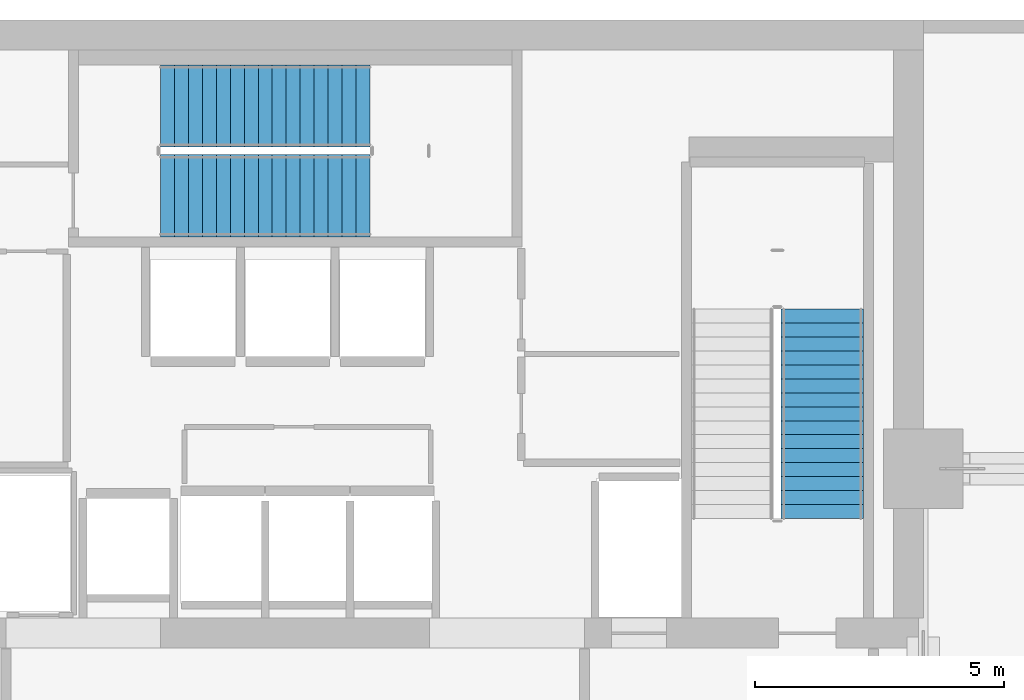
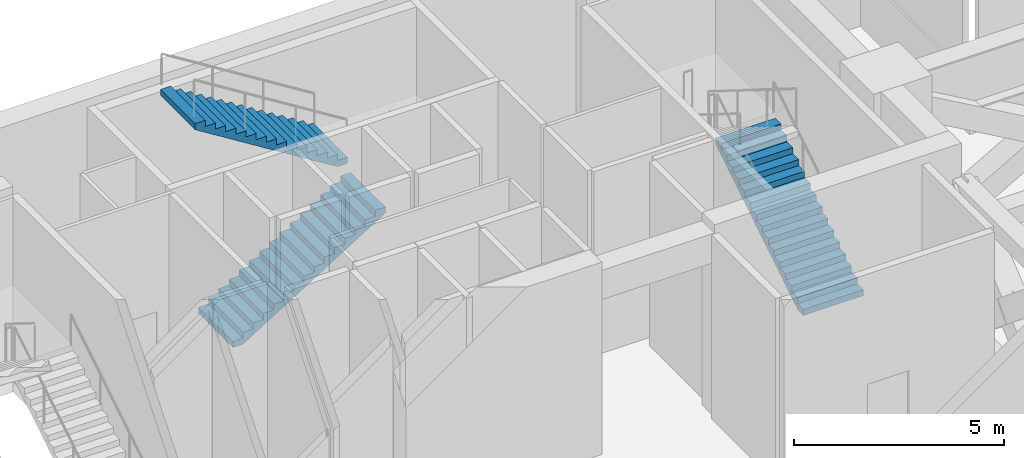
# One storey, part 8 of 11: 3 stair flights, 2 elements without a shape of their own.
"""IFC4 building model written with IfcOpenShell, lengths in metres."""

from ifc_helpers import new_model, si_unit, direction, frame, origin, place, context, subcontext, project, spatial, polyline, outline, extrude, material, type_object, element, aggregate, save


model = new_model("IFC4")

# Units and contexts
model_context = context("Model", 3, precision=1e-05, world=origin(), true_north=direction((0.0, 1.0)))
body_context = subcontext(model_context, "Body", "Model", "MODEL_VIEW")
ifc_project = project(units=[si_unit("LENGTHUNIT", "METRE"), si_unit("AREAUNIT", "SQUARE_METRE"), si_unit("VOLUMEUNIT", "CUBIC_METRE"), si_unit("PLANEANGLEUNIT", "RADIAN"), si_unit("MASSUNIT", "GRAM", prefix="KILO")], contexts=[model_context])

# Site, building, storey
site_placement = place(None, origin())
site = spatial("IfcSite", under=ifc_project, at=site_placement, CompositionType="ELEMENT")
building_placement = place(site_placement, origin())
building = spatial("IfcBuilding", under=site, at=building_placement, Name="Maruvema Waterfront Hotel and Observation Tower", CompositionType="ELEMENT")
storey_placement = place(building_placement, frame((0.0, 0.0, 316.39990234375)))
storey = spatial("IfcBuildingStorey", under=building, at=storey_placement, Name="L78", CompositionType="ELEMENT", Elevation=316.39990234375)

# Stair, stair flights
ifc_material_1 = material(Name="Concrete C50/60", Category="concrete")
stair_type = type_object("IfcStairType", Name="Dogleg Exit Stair 1650 mm (32R x 175.0 mm)", PredefinedType="HALF_TURN_STAIR", material=ifc_material_1)
stair_1_placement = place(storey_placement, origin())
stair_1 = element("IfcStair", 1, at=stair_1_placement, inside=storey, type_object=stair_type, Name="L78 ST-02", PredefinedType="HALF_TURN_STAIR")
ifc_material_2 = material(Name="Concrete C50/60", Category="concrete")
stair_flight_type = type_object("IfcStairFlightType", Name="Reinforced Concrete Stair Flight 1650 mm (16R x 175.0 mm)", PredefinedType="STRAIGHT", material=ifc_material_2)
stair_flight_1_placement = place(storey_placement, frame((35.10009765625, 50.47509765625, 0.0), z_axis=(0.0, 0.0, 1.0), x_axis=(1.0, 0.0, 0.0)))
stair_flight_1 = element("IfcStairFlight", 2, at=stair_flight_1_placement, type_object=stair_flight_type, Name="ST-02 flight 1", NumberOfRisers=16, NumberOfTreads=15, PredefinedType="STRAIGHT", RiserHeight=0.175, TreadLength=0.28, context=body_context, shape_type="SweptSolid", body=[
    extrude(outline(polyline([(0.0, 0.0), (0.0, 0.175048828125), (0.280029296875, 0.175048828125), (0.280029296875, 0.35009765625), (0.56005859375, 0.35009765625), (0.56005859375, 0.52490234375), (0.840087890625, 0.52490234375), (0.840087890625, 0.699951171875), (1.1201171875, 0.699951171875), (1.1201171875, 0.875), (1.39990234375, 0.875), (1.39990234375, 1.050048828125), (1.679931640625, 1.050048828125), (1.679931640625, 1.22509765625), (1.9599609375, 1.22509765625), (1.9599609375, 1.39990234375), (2.239990234375, 1.39990234375), (2.239990234375, 1.574951171875), (2.52001953125, 1.574951171875), (2.52001953125, 1.75), (2.800048828125, 1.75), (2.800048828125, 1.925048828125), (3.080078125, 1.925048828125), (3.080078125, 2.10009765625), (3.360107421875, 2.10009765625), (3.360107421875, 2.27490234375), (3.639892578125, 2.27490234375), (3.639892578125, 2.449951171875), (3.919921875, 2.449951171875), (3.919921875, 2.625), (4.199951171875, 2.625), (4.199951171875, 2.800048828125), (4.199951171875, 2.4482421875), (0.28271484375, 0.0), (0.0, 0.0)])), frame((0.0, 0.824951171875, 0.0), z_axis=(0.0, -1.0, 0.0), x_axis=(1.0, 0.0, 0.0)), (0.0, 0.0, 1.0), 1.64990234375),
])
stair_flight_2_placement = place(storey_placement, frame((39.300048828125, 52.27490234375, 2.800048828125), z_axis=(0.0, 0.0, 1.0), x_axis=(-1.0, 0.0, 0.0)))
stair_flight_2 = element("IfcStairFlight", 3, at=stair_flight_2_placement, type_object=stair_flight_type, Name="ST-02 flight 2", NumberOfRisers=16, NumberOfTreads=15, PredefinedType="STRAIGHT", RiserHeight=0.175, TreadLength=0.28, context=body_context, shape_type="SweptSolid", body=[
    extrude(outline(polyline([(0.0, 0.0), (0.0, 0.175048828125), (0.280029296875, 0.175048828125), (0.280029296875, 0.35009765625), (0.56005859375, 0.35009765625), (0.56005859375, 0.52490234375), (0.840087890625, 0.52490234375), (0.840087890625, 0.699951171875), (1.1201171875, 0.699951171875), (1.1201171875, 0.875), (1.39990234375, 0.875), (1.39990234375, 1.050048828125), (1.679931640625, 1.050048828125), (1.679931640625, 1.22509765625), (1.9599609375, 1.22509765625), (1.9599609375, 1.39990234375), (2.239990234375, 1.39990234375), (2.239990234375, 1.574951171875), (2.52001953125, 1.574951171875), (2.52001953125, 1.75), (2.800048828125, 1.75), (2.800048828125, 1.925048828125), (3.080078125, 1.925048828125), (3.080078125, 2.10009765625), (3.360107421875, 2.10009765625), (3.360107421875, 2.27490234375), (3.639892578125, 2.27490234375), (3.639892578125, 2.449951171875), (3.919921875, 2.449951171875), (3.919921875, 2.625), (4.199951171875, 2.625), (4.199951171875, 2.800048828125), (4.199951171875, 2.4482421875), (0.28271484375, 0.0), (0.0, 0.0)])), frame((0.0, 0.824951171875, 0.0), z_axis=(0.0, -1.0, 0.0), x_axis=(1.0, 0.0, 0.0)), (0.0, 0.0, 1.0), 1.64990234375),
])
aggregate(stair_1, [stair_flight_1, stair_flight_2])

# Stair, stair flight
stair_2_placement = place(storey_placement, origin())
stair_2 = element("IfcStair", 4, at=stair_2_placement, inside=storey, type_object=stair_type, Name="L78 ST-03", PredefinedType="HALF_TURN_STAIR")
stair_flight_3_placement = place(storey_placement, frame((48.375, 44.0, 0.0), z_axis=(0.0, 0.0, 1.0), x_axis=(0.0, 1.0, 0.0)))
stair_flight_3 = element("IfcStairFlight", 5, at=stair_flight_3_placement, type_object=stair_flight_type, Name="ST-03 flight 1", NumberOfRisers=16, NumberOfTreads=15, PredefinedType="STRAIGHT", RiserHeight=0.175, TreadLength=0.28, context=body_context, shape_type="SweptSolid", body=[
    extrude(outline(polyline([(0.0, 0.0), (0.0, 0.175048828125), (0.280029296875, 0.175048828125), (0.280029296875, 0.35009765625), (0.56005859375, 0.35009765625), (0.56005859375, 0.52490234375), (0.840087890625, 0.52490234375), (0.840087890625, 0.699951171875), (1.1201171875, 0.699951171875), (1.1201171875, 0.875), (1.39990234375, 0.875), (1.39990234375, 1.050048828125), (1.679931640625, 1.050048828125), (1.679931640625, 1.22509765625), (1.9599609375, 1.22509765625), (1.9599609375, 1.39990234375), (2.239990234375, 1.39990234375), (2.239990234375, 1.574951171875), (2.52001953125, 1.574951171875), (2.52001953125, 1.75), (2.800048828125, 1.75), (2.800048828125, 1.925048828125), (3.080078125, 1.925048828125), (3.080078125, 2.10009765625), (3.360107421875, 2.10009765625), (3.360107421875, 2.27490234375), (3.639892578125, 2.27490234375), (3.639892578125, 2.449951171875), (3.919921875, 2.449951171875), (3.919921875, 2.625), (4.199951171875, 2.625), (4.199951171875, 2.800048828125), (4.199951171875, 2.4482421875), (0.28271484375, 0.0), (0.0, 0.0)])), frame((0.0, 0.824951171875, 0.0), z_axis=(0.0, -1.0, 0.0), x_axis=(1.0, 0.0, 0.0)), (0.0, 0.0, 1.0), 1.64990234375),
])
aggregate(stair_2, [stair_flight_3])

save(model, "model.ifc")
